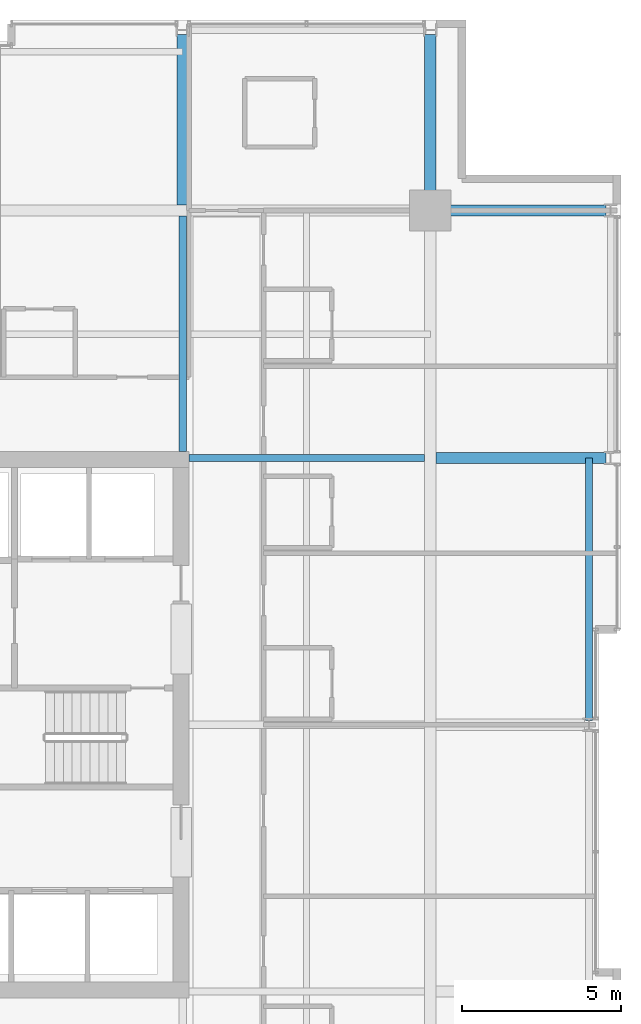
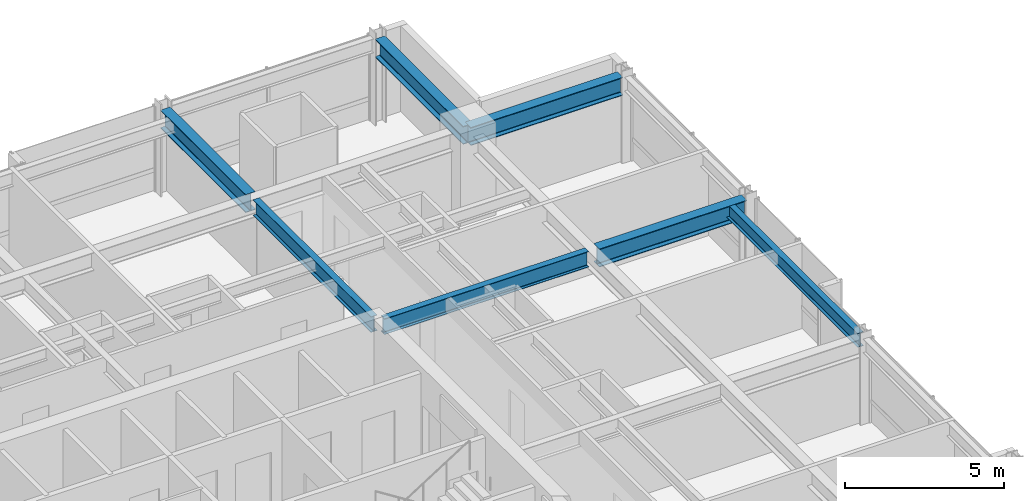
# One storey, part 22 of 32: 7 beams.
"""IFC4 building model written with IfcOpenShell, lengths in metres."""

from ifc_helpers import new_model, si_unit, direction, frame, origin, origin_2d, place, context, subcontext, project, spatial, i_section, extrude, material, material_profile, profile_set, type_object, element, save


model = new_model("IFC4")

# Units and contexts
model_context = context("Model", 3, precision=1e-05, world=origin(), true_north=direction((0.0, 1.0)))
body_context = subcontext(model_context, "Body", "Model", "MODEL_VIEW")
ifc_project = project(units=[si_unit("LENGTHUNIT", "METRE"), si_unit("AREAUNIT", "SQUARE_METRE"), si_unit("VOLUMEUNIT", "CUBIC_METRE"), si_unit("PLANEANGLEUNIT", "RADIAN"), si_unit("MASSUNIT", "GRAM", prefix="KILO")], contexts=[model_context])

# Site, building, storey
site_placement = place(None, origin())
site = spatial("IfcSite", under=ifc_project, at=site_placement, CompositionType="ELEMENT")
building_placement = place(site_placement, origin())
building = spatial("IfcBuilding", under=site, at=building_placement, Name="Drelvath Grand Hotel", CompositionType="ELEMENT")
storey_placement = place(building_placement, frame((0.0, 0.0, 150.39990234375)))
storey = spatial("IfcBuildingStorey", under=building, at=storey_placement, Name="L38", CompositionType="ELEMENT", Elevation=150.39990234375)

# Beams
ifc_material = material(Name="Steel ASTM A992 Gr 50", Category="steel")
ifc_material_profile_1 = material_profile(ifc_material, i_section(OverallWidth=0.210205078125, OverallDepth=0.53662109375, WebThickness=0.010986328125, FlangeThickness=0.017333984375, FilletRadius=0.01806640625, at=origin_2d()), Name="W21X68")
ifc_profile_set_1 = profile_set([ifc_material_profile_1], Name="Steel ASTM A992 Gr 50")
beam_type_1 = type_object("IfcBeamType", Name="Perimeter Spandrel Beam W21X68", PredefinedType="SPANDREL", material=ifc_profile_set_1)
beam_1_placement = place(storey_placement, frame((21.199951171875, 27.139892578125, 3.021728515625), z_axis=(0.0, 1.0, 0.0), x_axis=(-1.0, 0.0, 0.0)))
element("IfcBeam", 1, at=beam_1_placement, inside=storey, type_object=beam_type_1, Name="L38 Spandrel East Mid N", PredefinedType="SPANDREL", context=body_context, shape_type="SweptSolid", body=[
    extrude(i_section(OverallWidth=0.210205078125, OverallDepth=0.53662109375, WebThickness=0.010986328125, FlangeThickness=0.017333984375, FilletRadius=0.01806640625, at=origin_2d()), origin(), (0.0, 0.0, 1.0), 8.260009765625),
])
ifc_material_profile_2 = material_profile(ifc_material, i_section(OverallWidth=0.228271484375, OverallDepth=0.607666015625, WebThickness=0.01123046875, FlangeThickness=0.017333984375, FilletRadius=0.02001953125, at=origin_2d()), Name="W24X76")
ifc_profile_set_2 = profile_set([ifc_material_profile_2], Name="Steel ASTM A992 Gr 50")
beam_type_2 = type_object("IfcBeamType", Name="Primary Floor Girder W24X76", PredefinedType="BEAM", material=ifc_profile_set_2)
for number, where, z_axis, x_axis, name in (
    (2, (8.60009765625, 35.39990234375, 2.986328125), (1.0, 0.0, 0.0), (0.0, 1.0, 0.0), "L38 East Core Tie F"),
    (3, (8.39990234375, 35.60009765625, 2.986328125), (0.0, 1.0, 0.0), (-1.0, 0.0, 0.0), "L38 North Core Tie 6"),
):
    element("IfcBeam", number, at=place(storey_placement, frame(where, z_axis=z_axis, x_axis=x_axis)), inside=storey, type_object=beam_type_2, Name=name, PredefinedType="BEAM", context=body_context, shape_type="SweptSolid", body=[
        extrude(i_section(OverallWidth=0.228271484375, OverallDepth=0.607666015625, WebThickness=0.01123046875, FlangeThickness=0.017333984375, FilletRadius=0.02001953125, at=origin_2d()), origin(), (0.0, 0.0, 1.0), 7.422607421875),
    ])
ifc_material_profile_3 = material_profile(ifc_material, i_section(OverallWidth=0.354736328125, OverallDepth=0.695556640625, WebThickness=0.015380859375, FlangeThickness=0.025146484375, FilletRadius=0.02392578125, at=origin_2d()), Name="W27X146")
ifc_profile_set_3 = profile_set([ifc_material_profile_3], Name="Steel ASTM A992 Gr 50")
beam_type_3 = type_object("IfcBeamType", Name="Primary Floor Girder W27X146", PredefinedType="BEAM", material=ifc_profile_set_3)
beam_2_placement = place(storey_placement, frame((16.199951171875, 43.199951171875, 2.9423828125), z_axis=(1.0, 0.0, 0.0), x_axis=(0.0, 1.0, 0.0)))
element("IfcBeam", 4, at=beam_2_placement, inside=storey, type_object=beam_type_3, Name="L38 East Grid Girder G", PredefinedType="BEAM", context=body_context, shape_type="SweptSolid", body=[
    extrude(i_section(OverallWidth=0.354736328125, OverallDepth=0.695556640625, WebThickness=0.015380859375, FlangeThickness=0.025146484375, FilletRadius=0.02392578125, at=origin_2d()), origin(), (0.0, 0.0, 1.0), 5.5400390625),
])
beam_3_placement = place(storey_placement, frame((16.37744140625, 35.39990234375, 2.9423828125), z_axis=(1.0, 0.0, 0.0), x_axis=(0.0, 1.0, 0.0)))
element("IfcBeam", 5, at=beam_3_placement, inside=storey, type_object=beam_type_3, Name="L38 East Wing Girder F", PredefinedType="BEAM", context=body_context, shape_type="SweptSolid", body=[
    extrude(i_section(OverallWidth=0.354736328125, OverallDepth=0.695556640625, WebThickness=0.015380859375, FlangeThickness=0.025146484375, FilletRadius=0.02392578125, at=origin_2d()), origin(), (0.0, 0.0, 1.0), 5.362548828125),
])
beam_4_placement = place(storey_placement, frame((16.199951171875, 43.199951171875, 2.9423828125), z_axis=(0.0, 1.0, 0.0), x_axis=(-1.0, 0.0, 0.0)))
element("IfcBeam", 6, at=beam_4_placement, inside=storey, type_object=beam_type_3, Name="L38 North Grid Girder 7", PredefinedType="BEAM", context=body_context, shape_type="SweptSolid", body=[
    extrude(i_section(OverallWidth=0.354736328125, OverallDepth=0.695556640625, WebThickness=0.015380859375, FlangeThickness=0.025146484375, FilletRadius=0.02392578125, at=origin_2d()), origin(), (0.0, 0.0, 1.0), 5.5400390625),
])
beam_5_placement = place(storey_placement, frame((8.39990234375, 43.37744140625, 2.9423828125), z_axis=(0.0, 1.0, 0.0), x_axis=(-1.0, 0.0, 0.0)))
element("IfcBeam", 7, at=beam_5_placement, inside=storey, type_object=beam_type_3, Name="L38 North Wing Girder 6", PredefinedType="BEAM", context=body_context, shape_type="SweptSolid", body=[
    extrude(i_section(OverallWidth=0.354736328125, OverallDepth=0.695556640625, WebThickness=0.015380859375, FlangeThickness=0.025146484375, FilletRadius=0.02392578125, at=origin_2d()), origin(), (0.0, 0.0, 1.0), 5.362548828125),
])

save(model, "model.ifc")
